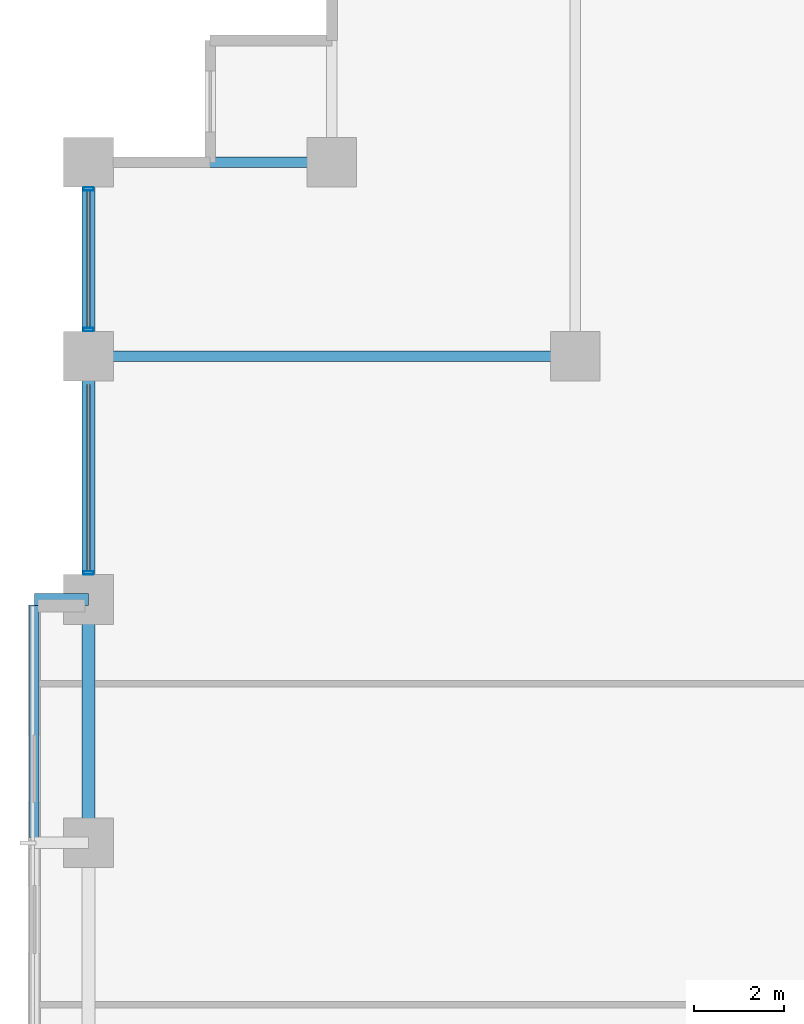
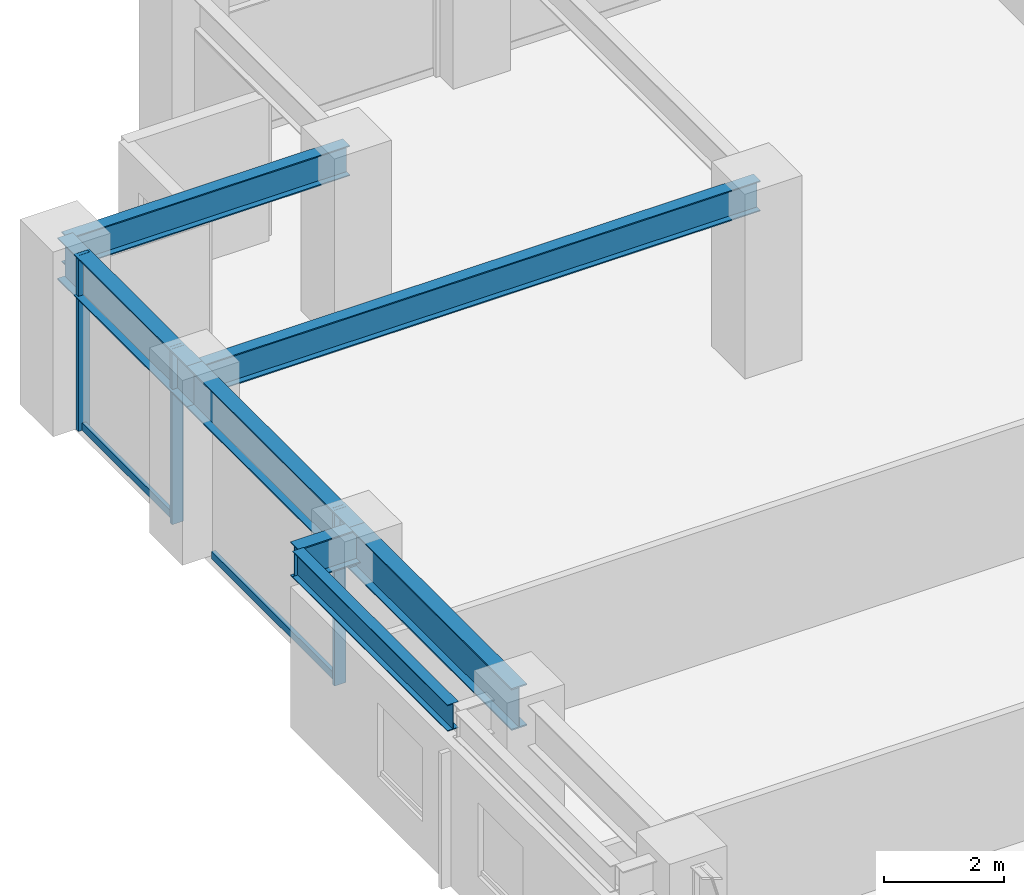
# One storey, part 11 of 26: 7 beams, 5 members, 1 element without a shape of its own.
"""IFC4 building model written with IfcOpenShell, lengths in metres."""

from ifc_helpers import new_model, si_unit, direction, frame, origin, origin_2d, place, context, subcontext, project, spatial, hollow_rectangle, i_section, extrude, material, layer, layer_set, material_profile, profile_set, type_object, element, aggregate, save


model = new_model("IFC4")

# Units and contexts
model_context = context("Model", 3, precision=1e-05, world=origin(), true_north=direction((0.0, 1.0)))
body_context = subcontext(model_context, "Body", "Model", "MODEL_VIEW")
ifc_project = project(units=[si_unit("LENGTHUNIT", "METRE"), si_unit("AREAUNIT", "SQUARE_METRE"), si_unit("VOLUMEUNIT", "CUBIC_METRE"), si_unit("PLANEANGLEUNIT", "RADIAN"), si_unit("MASSUNIT", "GRAM", prefix="KILO")], contexts=[model_context])

# Site, building, storey
site_placement = place(None, origin())
site = spatial("IfcSite", under=ifc_project, at=site_placement, CompositionType="ELEMENT")
building_placement = place(site_placement, origin())
building = spatial("IfcBuilding", under=site, at=building_placement, Name="Surkhivell Harbour Commons", CompositionType="ELEMENT")
storey_placement = place(building_placement, frame((0.0, 0.0, 102.0)))
storey = spatial("IfcBuildingStorey", under=building, at=storey_placement, Name="L26", CompositionType="ELEMENT", Elevation=102.0)

# Beams
ifc_material_1 = material(Name="Steel S460", Category="steel")
ifc_material_profile_1 = material_profile(ifc_material_1, i_section(OverallWidth=0.256103515625, OverallDepth=0.693115234375, WebThickness=0.014404296875, FlangeThickness=0.023681640625, at=origin_2d()), Name="UB686x254x170")
ifc_profile_set_1 = profile_set([ifc_material_profile_1], Name="Steel S460")
beam_type_1 = type_object("IfcBeamType", Name="BM-CNT-686", PredefinedType="BEAM", material=ifc_profile_set_1)
beam_1_placement = place(storey_placement, frame((-32.39990234375, 10.800048828125, 3.223388671875), z_axis=(-1.0, 0.0, 0.0), x_axis=(0.0, -1.0, 0.0)))
element("IfcBeam", 1, at=beam_1_placement, inside=storey, type_object=beam_type_1, Name="L26 Box Cantilever Outrigger (-32.4,10.8)", PredefinedType="BEAM", context=body_context, shape_type="SweptSolid", body=[
    extrude(i_section(OverallWidth=0.256103515625, OverallDepth=0.693115234375, WebThickness=0.014404296875, FlangeThickness=0.023681640625, at=origin_2d()), origin(), (0.0, 0.0, 1.0), 1.2001953125),
])
ifc_material_2 = material(Name="Steel S355", Category="steel")
ifc_material_profile_2 = material_profile(ifc_material_2, i_section(OverallWidth=0.2099609375, OverallDepth=0.537109375, WebThickness=0.0107421875, FlangeThickness=0.017333984375, at=origin_2d()), Name="UB533x210x101")
ifc_profile_set_2 = profile_set([ifc_material_profile_2], Name="Steel S355")
beam_type_2 = type_object("IfcBeamType", Name="BM-GRD-533B", PredefinedType="BEAM", material=ifc_profile_set_2)
beam_2_placement = place(storey_placement, frame((-33.60009765625, 5.52197265625, 3.301513671875), z_axis=(0.0, 1.0, 0.0), x_axis=(-1.0, 0.0, 0.0)))
element("IfcBeam", 2, at=beam_2_placement, inside=storey, type_object=beam_type_2, Name="L26 Box Rim Spandrel (-33.6,5.4)", PredefinedType="BEAM", context=body_context, shape_type="SweptSolid", body=[
    extrude(i_section(OverallWidth=0.2099609375, OverallDepth=0.537109375, WebThickness=0.0107421875, FlangeThickness=0.017333984375, at=origin_2d()), origin(), (0.0, 0.0, 1.0), 5.156005859375),
])
ifc_material_profile_3 = material_profile(ifc_material_2, i_section(OverallWidth=0.22998046875, OverallDepth=0.616943359375, WebThickness=0.01318359375, FlangeThickness=0.022216796875, at=origin_2d()), Name="UB610x229x140")
ifc_profile_set_3 = profile_set([ifc_material_profile_3], Name="Steel S355")
beam_type_3 = type_object("IfcBeamType", Name="BM-GRD-610B", PredefinedType="BEAM", material=ifc_profile_set_3)
beam_3_placement = place(storey_placement, frame((-32.39990234375, 16.199951171875, 3.261474609375), z_axis=(1.0, 0.0, 0.0), x_axis=(0.0, 1.0, 0.0)))
element("IfcBeam", 3, at=beam_3_placement, inside=storey, type_object=beam_type_3, Name="L26 Floor Girder (-32.4,16.2)", PredefinedType="BEAM", context=body_context, shape_type="SweptSolid", body=[
    extrude(i_section(OverallWidth=0.22998046875, OverallDepth=0.616943359375, WebThickness=0.01318359375, FlangeThickness=0.022216796875, at=origin_2d()), origin(), (0.0, 0.0, 1.0), 10.7998046875),
])
beam_4_placement = place(storey_placement, frame((-32.39990234375, 20.5, 3.261474609375), z_axis=(1.0, 0.0, 0.0), x_axis=(0.0, 1.0, 0.0)))
element("IfcBeam", 4, at=beam_4_placement, inside=storey, type_object=beam_type_3, Name="L26 Floor Girder (-32.4,20.5)", PredefinedType="BEAM", context=body_context, shape_type="SweptSolid", body=[
    extrude(i_section(OverallWidth=0.22998046875, OverallDepth=0.616943359375, WebThickness=0.01318359375, FlangeThickness=0.022216796875, at=origin_2d()), origin(), (0.0, 0.0, 1.0), 5.39990234375),
])
ifc_material_profile_4 = material_profile(ifc_material_1, i_section(OverallWidth=0.2939453125, OverallDepth=0.85107421875, WebThickness=0.01611328125, FlangeThickness=0.02685546875, at=origin_2d()), Name="UB838x292x226")
ifc_profile_set_4 = profile_set([ifc_material_profile_4], Name="Steel S460")
beam_type_4 = type_object("IfcBeamType", Name="BM-SPN-838", PredefinedType="SPANDREL", material=ifc_profile_set_4)
beam_5_placement = place(storey_placement, frame((-32.39990234375, 5.39990234375, 3.14453125), z_axis=(0.0, 1.0, 0.0), x_axis=(-1.0, 0.0, 0.0)))
element("IfcBeam", 5, at=beam_5_placement, inside=storey, type_object=beam_type_4, Name="L26 Tube Spandrel (-32.4,5.4)", PredefinedType="SPANDREL", context=body_context, shape_type="SweptSolid", body=[
    extrude(i_section(OverallWidth=0.2939453125, OverallDepth=0.85107421875, WebThickness=0.01611328125, FlangeThickness=0.02685546875, at=origin_2d()), origin(), (0.0, 0.0, 1.0), 5.400146484375),
])
beam_6_placement = place(storey_placement, frame((-32.39990234375, 10.800048828125, 3.14453125), z_axis=(0.0, 1.0, 0.0), x_axis=(-1.0, 0.0, 0.0)))
element("IfcBeam", 6, at=beam_6_placement, inside=storey, type_object=beam_type_4, Name="L26 Tube Spandrel (-32.4,10.8)", PredefinedType="SPANDREL", context=body_context, shape_type="SweptSolid", body=[
    extrude(i_section(OverallWidth=0.2939453125, OverallDepth=0.85107421875, WebThickness=0.01611328125, FlangeThickness=0.02685546875, at=origin_2d()), origin(), (0.0, 0.0, 1.0), 5.39990234375),
])
beam_7_placement = place(storey_placement, frame((-32.39990234375, 16.199951171875, 3.14453125), z_axis=(0.0, 1.0, 0.0), x_axis=(-1.0, 0.0, 0.0)))
element("IfcBeam", 7, at=beam_7_placement, inside=storey, type_object=beam_type_4, Name="L26 Tube Spandrel (-32.4,16.2)", PredefinedType="SPANDREL", context=body_context, shape_type="SweptSolid", body=[
    extrude(i_section(OverallWidth=0.2939453125, OverallDepth=0.85107421875, WebThickness=0.01611328125, FlangeThickness=0.02685546875, at=origin_2d()), origin(), (0.0, 0.0, 1.0), 4.300048828125),
])

# Curtain wall, members
ifc_material_3 = material(Name="Anodised pale-metal aluminium and insulated glazing", Category="aluminium")
ifc_layer = layer(ifc_material_3, 0.205078125)
ifc_layer_set = layer_set([ifc_layer], Name="Anodised pale-metal aluminium and insulated glazing")
curtain_wall_type = type_object("IfcCurtainWallType", Name="CW-SYS-Z2", PredefinedType="NOTDEFINED", material=ifc_layer_set)
curtain_wall_placement = place(storey_placement, origin())
curtain_wall = element("IfcCurtainWall", 8, at=curtain_wall_placement, inside=storey, type_object=curtain_wall_type, Name="L26 Curtain Wall CW-L26-E12R2", PredefinedType="NOTDEFINED")
ifc_material_4 = material(Name="Anodised pale-metal aluminium alloy 6063-T6", Category="aluminium")
ifc_material_profile_5 = material_profile(ifc_material_4, hollow_rectangle(XDim=0.074951171875, YDim=0.219970703125, WallThickness=0.00390625, at=origin_2d()), Name="ALU-MULL-75x220")
ifc_profile_set_5 = profile_set([ifc_material_profile_5], Name="Anodised pale-metal aluminium alloy 6063-T6")
member_type_1 = type_object("IfcMemberType", Name="CWM-220", PredefinedType="MULLION", material=ifc_profile_set_5)
member_1_placement = place(storey_placement, frame((-32.39990234375, 11.389404296875, 0.0), z_axis=(0.0, 0.0, 1.0), x_axis=(0.0, 1.0, 0.0)))
member_1 = element("IfcMember", 9, at=member_1_placement, type_object=member_type_1, Name="CW-Z2 mullion 1", PredefinedType="MULLION", context=body_context, shape_type="SweptSolid", body=[
    extrude(hollow_rectangle(XDim=0.074951171875, YDim=0.219970703125, WallThickness=0.00390625, at=origin_2d()), origin(), (0.0, 0.0, 1.0), 3.570068359375),
])
member_2_placement = place(storey_placement, frame((-32.39990234375, 16.78955078125, 0.0), z_axis=(0.0, 0.0, 1.0), x_axis=(0.0, 1.0, 0.0)))
member_2 = element("IfcMember", 10, at=member_2_placement, type_object=member_type_1, Name="CW-Z2 mullion 2", PredefinedType="MULLION", context=body_context, shape_type="SweptSolid", body=[
    extrude(hollow_rectangle(XDim=0.074951171875, YDim=0.219970703125, WallThickness=0.00390625, at=origin_2d()), origin(), (0.0, 0.0, 1.0), 3.570068359375),
])
member_3_placement = place(storey_placement, frame((-32.39990234375, 19.910400390625, 0.0), z_axis=(0.0, 0.0, 1.0), x_axis=(0.0, 1.0, 0.0)))
member_3 = element("IfcMember", 11, at=member_3_placement, type_object=member_type_1, Name="CW-Z2 mullion 3", PredefinedType="MULLION", context=body_context, shape_type="SweptSolid", body=[
    extrude(hollow_rectangle(XDim=0.074951171875, YDim=0.219970703125, WallThickness=0.00390625, at=origin_2d()), origin(), (0.0, 0.0, 1.0), 3.570068359375),
])
ifc_material_profile_6 = material_profile(ifc_material_4, hollow_rectangle(XDim=0.074951171875, YDim=0.14990234375, WallThickness=0.00341796875, at=origin_2d()), Name="ALU-TRAN-75x150")
ifc_profile_set_6 = profile_set([ifc_material_profile_6], Name="Anodised pale-metal aluminium alloy 6063-T6")
member_type_2 = type_object("IfcMemberType", Name="CWT-150", PredefinedType="USERDEFINED", material=ifc_profile_set_6)
member_4_placement = place(storey_placement, frame((-32.39990234375, 11.427001953125, 0.074951171875), z_axis=(0.0, 1.0, 0.0), x_axis=(-1.0, 0.0, 0.0)))
member_4 = element("IfcMember", 12, at=member_4_placement, type_object=member_type_2, Name="CW-Z2 transom 1.1", ObjectType="TRANSOM", PredefinedType="USERDEFINED", context=body_context, shape_type="SweptSolid", body=[
    extrude(hollow_rectangle(XDim=0.074951171875, YDim=0.14990234375, WallThickness=0.00341796875, at=origin_2d()), origin(), (0.0, 0.0, 1.0), 4.14599609375),
])
member_5_placement = place(storey_placement, frame((-32.39990234375, 16.826904296875, 0.074951171875), z_axis=(0.0, 1.0, 0.0), x_axis=(-1.0, 0.0, 0.0)))
member_5 = element("IfcMember", 13, at=member_5_placement, type_object=member_type_2, Name="CW-Z2 transom 2.1", ObjectType="TRANSOM", PredefinedType="USERDEFINED", context=body_context, shape_type="SweptSolid", body=[
    extrude(hollow_rectangle(XDim=0.074951171875, YDim=0.14990234375, WallThickness=0.00341796875, at=origin_2d()), origin(), (0.0, 0.0, 1.0), 3.046142578125),
])
aggregate(curtain_wall, [member_1, member_4, member_2, member_3, member_5])

save(model, "model.ifc")
